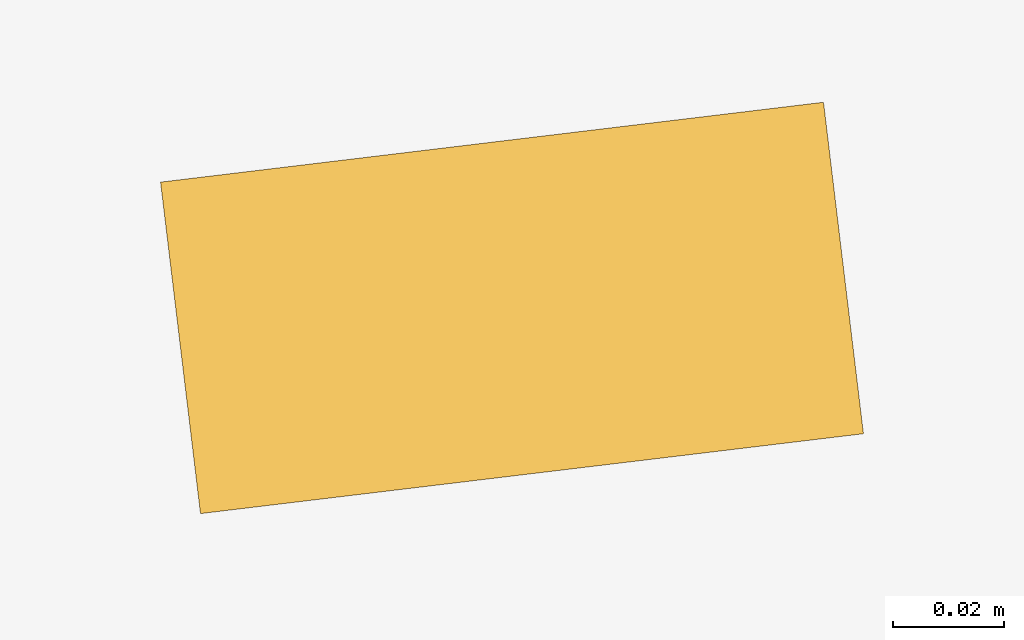
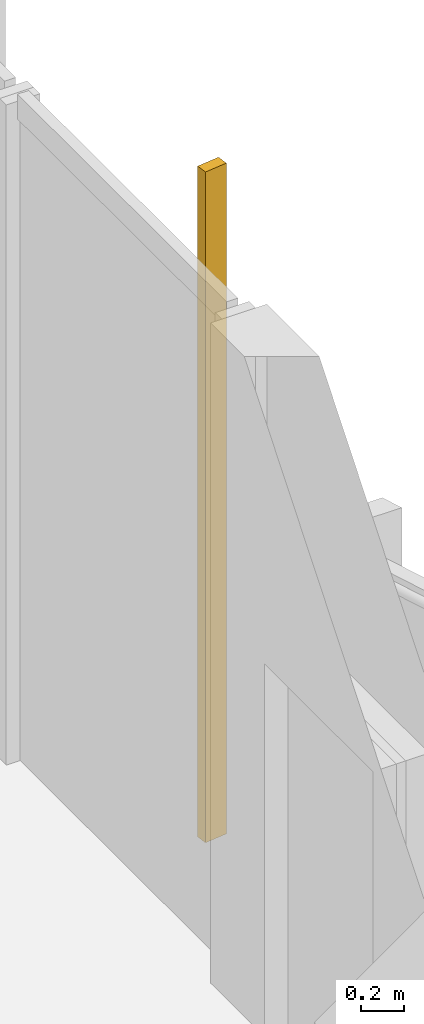
# One storey, part 24 of 26: 1 shading device.
"""IFC4 building model written with IfcOpenShell, lengths in metres."""

from ifc_helpers import new_model, si_unit, direction, frame, origin, origin_2d, place, context, subcontext, project, spatial, rectangle, extrude, source, transform, mapped, material, material_profile, profile_set, type_object, element, save


model = new_model("IFC4")

# Units and contexts
model_context = context("Model", 3, precision=1e-05, world=origin(), true_north=direction((0.0, 1.0)))
body_context = subcontext(model_context, "Body", "Model", "MODEL_VIEW")
ifc_project = project(units=[si_unit("LENGTHUNIT", "METRE"), si_unit("AREAUNIT", "SQUARE_METRE"), si_unit("VOLUMEUNIT", "CUBIC_METRE"), si_unit("PLANEANGLEUNIT", "RADIAN"), si_unit("MASSUNIT", "GRAM", prefix="KILO")], contexts=[model_context])

# Site, building, storey
site_placement = place(None, origin())
site = spatial("IfcSite", under=ifc_project, at=site_placement, CompositionType="ELEMENT")
building_placement = place(site_placement, origin())
building = spatial("IfcBuilding", under=site, at=building_placement, Name="Kilnfold Tower and Market Hall", CompositionType="ELEMENT")
storey_placement = place(building_placement, frame((0.0, 0.0, 31.0)))
storey = spatial("IfcBuildingStorey", under=building, at=storey_placement, Name="L06", CompositionType="ELEMENT", Elevation=31.0)

# Shading device
ifc_material = material(Name="Terracotta", Category="masonry")
ifc_material_profile = material_profile(ifc_material, rectangle(XDim=0.06005859375, YDim=0.1201171875, at=origin_2d()), Name="BAG 60x120")
ifc_profile_set = profile_set([ifc_material_profile], Name="Terracotta")
shading_device_type = type_object("IfcShadingDeviceType", Name="BAGUETTE", PredefinedType="USERDEFINED", material=ifc_profile_set)
shared_shape = source(origin(), body_context, "Body", "SweptSolid", [
    extrude(rectangle(XDim=0.06005859375, YDim=0.1201171875, at=origin_2d()), origin(), (0.0, 0.0, 1.0), 3.780029296875),
])
shading_device_placement = place(storey_placement, frame((28.300048828125, 2.47509765625, 0.0), z_axis=(0.0, 0.0, 1.0), x_axis=(-0.119599687864, 0.992822196903, 0.0)))
element("IfcShadingDevice", 1, at=shading_device_placement, inside=storey, type_object=shading_device_type, Name="Terracotta baguette L06 E", ObjectType="BAGUETTE", PredefinedType="USERDEFINED", context=body_context, shape_type="MappedRepresentation", body=[
    mapped(shared_shape, transform((0.0, 0.0, 0.0))),
])

save(model, "model.ifc")
